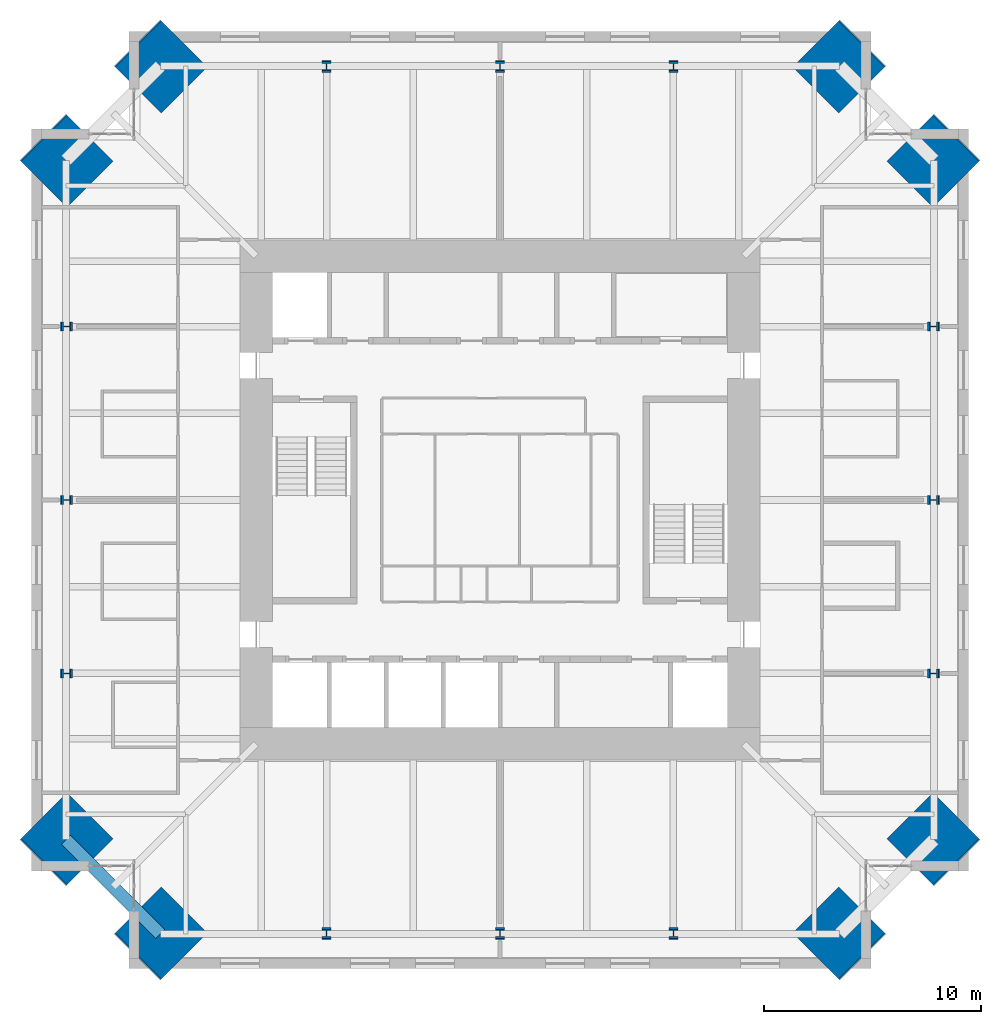
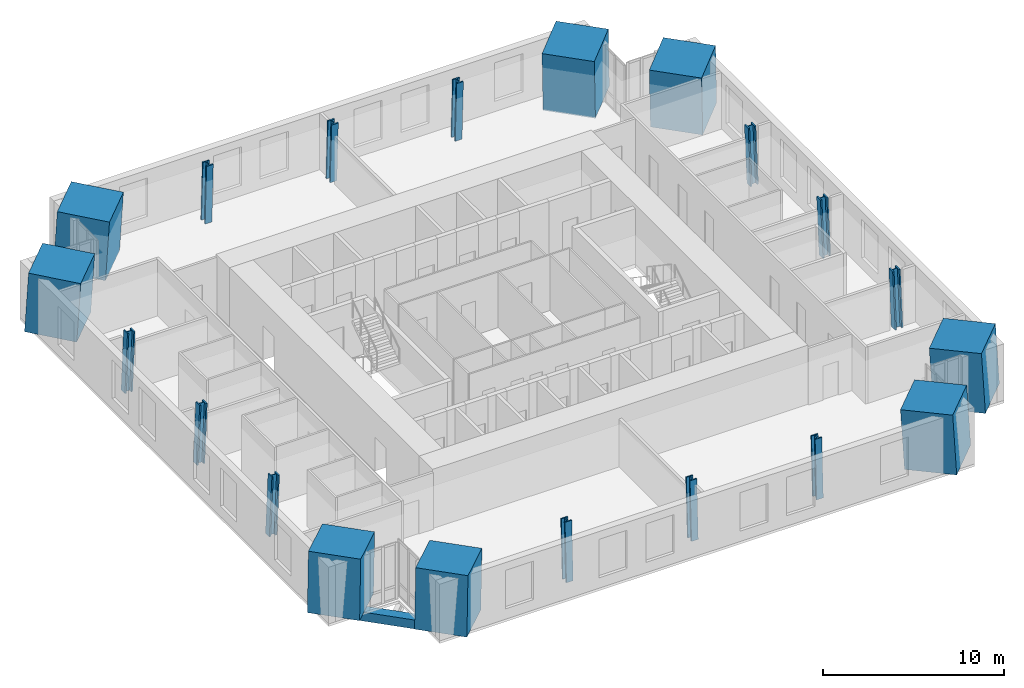
# One storey, part 1 of 16: 20 columns, 1 beam.
"""IFC4 building model written with IfcOpenShell, lengths in metres."""

from ifc_helpers import new_model, si_unit, direction, frame, origin, origin_2d, place, context, subcontext, project, spatial, rectangle, hollow_rectangle, i_section, extrude, material, material_profile, profile_set, type_object, element, save


model = new_model("IFC4")

# Units and contexts
model_context = context("Model", 3, precision=1e-05, world=origin(), true_north=direction((0.0, 1.0)))
body_context = subcontext(model_context, "Body", "Model", "MODEL_VIEW")
ifc_project = project(units=[si_unit("LENGTHUNIT", "METRE"), si_unit("AREAUNIT", "SQUARE_METRE"), si_unit("VOLUMEUNIT", "CUBIC_METRE"), si_unit("PLANEANGLEUNIT", "RADIAN"), si_unit("MASSUNIT", "GRAM", prefix="KILO")], contexts=[model_context])

# Site, building, storey
site_placement = place(None, origin())
site = spatial("IfcSite", under=ifc_project, at=site_placement, CompositionType="ELEMENT")
building_placement = place(site_placement, origin())
building = spatial("IfcBuilding", under=site, at=building_placement, Name="Peilmerk Tower", CompositionType="ELEMENT")
storey_placement = place(building_placement, frame((0.0, 0.0, 269.800048828125)))
storey = spatial("IfcBuildingStorey", under=building, at=storey_placement, Name="L60", CompositionType="ELEMENT", Elevation=269.800048828125)

# Columns
ifc_material_1 = material(Name="Concrete C90/105", Category="concrete")
ifc_material_profile_1 = material_profile(ifc_material_1, rectangle(XDim=3.0, YDim=3.0, at=origin_2d()), Name="RC 3000x3000")
ifc_profile_set_1 = profile_set([ifc_material_profile_1], Name="Concrete C90/105")
column_type_1 = type_object("IfcColumnType", Name="MC3 3000x3000 encased mega column", PredefinedType="COLUMN", material=ifc_profile_set_1)
for number, where, z_axis, x_axis, name in (
    (1, (15.667724609375, 20.017822265625, 0.0), (-0.040278731567, -0.040278731567, 0.998376305592), (0.707106781187, -0.707106781187, 0.0), "Mega column MC3 NE_N L60"),
    (2, (20.017822265625, 15.667724609375, 0.0), (-0.040278731567, -0.040278731567, 0.998376305592), (0.707106781187, -0.707106781187, 0.0), "Mega column MC3 NE_E L60"),
    (3, (20.017822265625, -15.667724609375, 0.0), (-0.040278731567, 0.040278731567, 0.998376305592), (-0.707106781187, -0.707106781187, 0.0), "Mega column MC3 SE_E L60"),
    (4, (15.667724609375, -20.017822265625, 0.0), (-0.040278731567, 0.040278731567, 0.998376305592), (-0.707106781187, -0.707106781187, 0.0), "Mega column MC3 SE_S L60"),
    (5, (-15.667724609375, -20.017822265625, 0.0), (0.040278731567, 0.040278731567, 0.998376305592), (-0.707106781187, 0.707106781187, 0.0), "Mega column MC3 SW_S L60"),
    (6, (-20.017822265625, -15.667724609375, 0.0), (0.040278731567, 0.040278731567, 0.998376305592), (-0.707106781187, 0.707106781187, 0.0), "Mega column MC3 SW_W L60"),
    (7, (-20.017822265625, 15.667724609375, 0.0), (0.040278731567, -0.040278731567, 0.998376305592), (0.707106781187, 0.707106781187, 0.0), "Mega column MC3 NW_W L60"),
    (8, (-15.667724609375, 20.017822265625, 0.0), (0.040278731567, -0.040278731567, 0.998376305592), (0.707106781187, 0.707106781187, 0.0), "Mega column MC3 NW_N L60"),
):
    element("IfcColumn", number, at=place(storey_placement, frame(where, z_axis=z_axis, x_axis=x_axis)), inside=storey, type_object=column_type_1, Name=name, PredefinedType="COLUMN", context=body_context, shape_type="SweptSolid", body=[
        extrude(rectangle(XDim=3.0, YDim=3.0, at=origin_2d()), origin(), (0.0, 0.0, 1.0), 4.006591796875),
    ])
ifc_material_2 = material(Name="Steel S460", Category="steel")
ifc_material_profile_2 = material_profile(ifc_material_2, i_section(OverallWidth=0.431884765625, OverallDepth=0.498046875, WebThickness=0.0556640625, FlangeThickness=0.0888671875, at=origin_2d()), Name="HD 400x744")
ifc_profile_set_2 = profile_set([ifc_material_profile_2], Name="Steel S460")
column_type_2 = type_object("IfcColumnType", Name="SC7 HD 400x744 perimeter column", PredefinedType="COLUMN", material=ifc_profile_set_2)
for number, where, z_axis, x_axis, name in (
    (9, (0.0, 20.017822265625, 0.0), (0.0, -0.040311445006, 0.999187163349), (1.0, 0.0, 0.0), "Perimeter column N+0 L60"),
    (10, (8.0, 20.017822265625, 0.0), (0.0, -0.040311445006, 0.999187163349), (1.0, 0.0, 0.0), "Perimeter column N-8 L60"),
    (11, (-8.0, 20.017822265625, 0.0), (0.0, -0.040311445006, 0.999187163349), (1.0, 0.0, 0.0), "Perimeter column N+8 L60"),
    (12, (20.017822265625, 0.0, 0.0), (-0.040311445006, 0.0, 0.999187163349), (0.0, -1.0, 0.0), "Perimeter column E+0 L60"),
    (13, (20.017822265625, -8.0, 0.0), (-0.040311445006, 0.0, 0.999187163349), (0.0, -1.0, 0.0), "Perimeter column E-8 L60"),
    (14, (20.017822265625, 8.0, 0.0), (-0.040311445006, 0.0, 0.999187163349), (0.0, -1.0, 0.0), "Perimeter column E+8 L60"),
    (15, (0.0, -20.017822265625, 0.0), (0.0, 0.040311445006, 0.999187163349), (-1.0, 0.0, 0.0), "Perimeter column S+0 L60"),
    (16, (-8.0, -20.017822265625, 0.0), (0.0, 0.040311445006, 0.999187163349), (-1.0, 0.0, 0.0), "Perimeter column S-8 L60"),
    (17, (8.0, -20.017822265625, 0.0), (0.0, 0.040311445006, 0.999187163349), (-1.0, 0.0, 0.0), "Perimeter column S+8 L60"),
    (18, (-20.017822265625, 0.0, 0.0), (0.040311445006, 0.0, 0.999187163349), (0.0, 1.0, 0.0), "Perimeter column W+0 L60"),
    (19, (-20.017822265625, 8.0, 0.0), (0.040311445006, 0.0, 0.999187163349), (0.0, 1.0, 0.0), "Perimeter column W-8 L60"),
    (20, (-20.017822265625, -8.0, 0.0), (0.040311445006, 0.0, 0.999187163349), (0.0, 1.0, 0.0), "Perimeter column W+8 L60"),
):
    element("IfcColumn", number, at=place(storey_placement, frame(where, z_axis=z_axis, x_axis=x_axis)), inside=storey, type_object=column_type_2, Name=name, PredefinedType="COLUMN", context=body_context, shape_type="SweptSolid", body=[
        extrude(i_section(OverallWidth=0.431884765625, OverallDepth=0.498046875, WebThickness=0.0556640625, FlangeThickness=0.0888671875, at=origin_2d()), origin(), (0.0, 0.0, 1.0), 4.003173828125),
    ])

# Beam
ifc_material_profile_3 = material_profile(ifc_material_2, hollow_rectangle(XDim=0.60009765625, YDim=0.60009765625, WallThickness=0.06005859375, at=origin_2d()), Name="BOX 600x600x60")
ifc_profile_set_3 = profile_set([ifc_material_profile_3], Name="Steel S460")
beam_type = type_object("IfcBeamType", Name="B20 BOX 600x600x60 notch beam", PredefinedType="SPANDREL", material=ifc_profile_set_3)
beam_placement = place(storey_placement, frame((-15.667724609375, -20.017822265625, -0.469970703125), z_axis=(-0.707106781187, 0.707106781187, 0.0), x_axis=(-0.707106781187, -0.707106781187, 0.0)))
element("IfcBeam", 21, at=beam_placement, inside=storey, type_object=beam_type, Name="Notch beam L60", PredefinedType="SPANDREL", context=body_context, shape_type="SweptSolid", body=[
    extrude(hollow_rectangle(XDim=0.60009765625, YDim=0.60009765625, WallThickness=0.06005859375, at=origin_2d()), origin(), (0.0, 0.0, 1.0), 6.15185546875),
])

save(model, "model.ifc")
